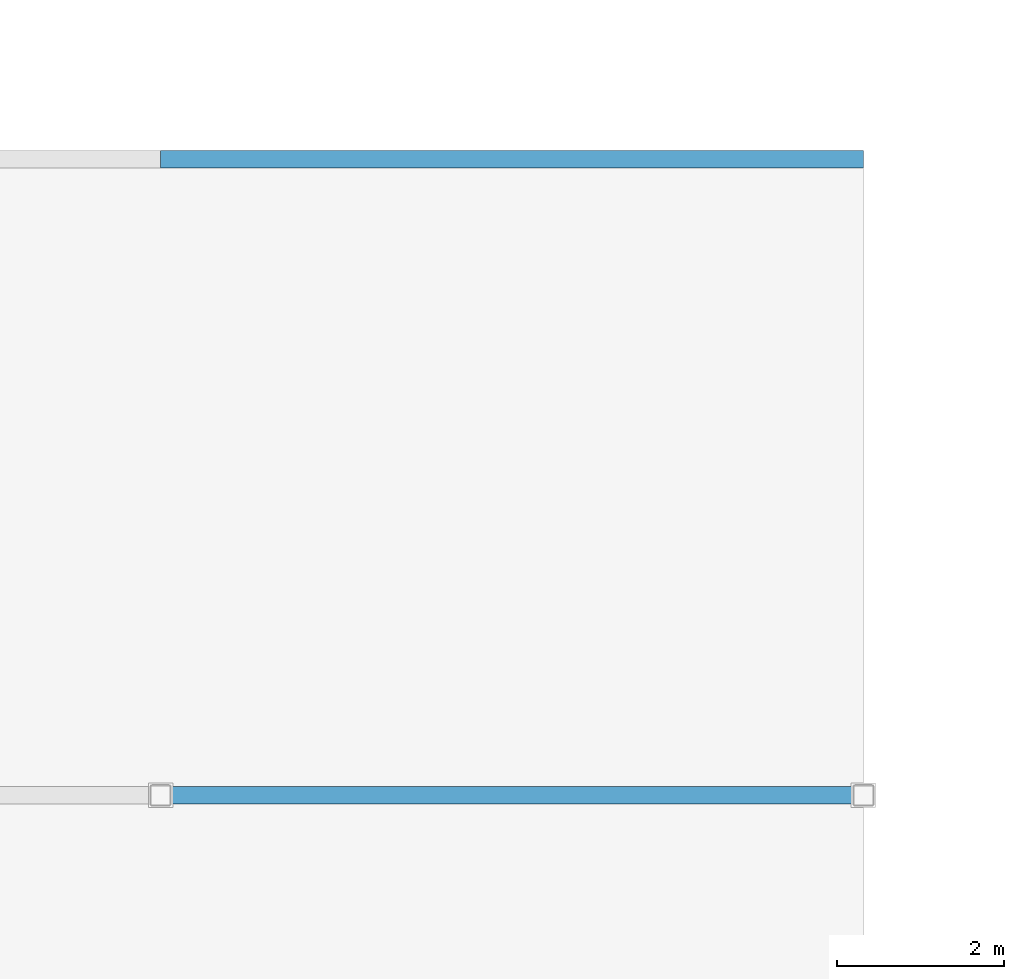
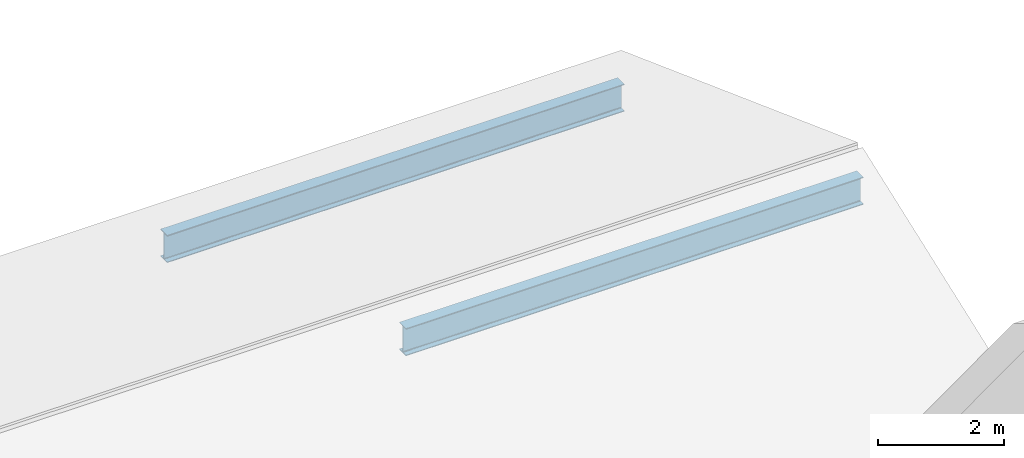
# One storey, part 31 of 153: 2 beams.
"""IFC4 building model written with IfcOpenShell, lengths in metres."""

from ifc_helpers import new_model, si_unit, direction, frame, origin, origin_2d, place, context, subcontext, project, spatial, i_section, extrude, material, material_profile, profile_set, type_object, element, save


model = new_model("IFC4")

# Units and contexts
model_context = context("Model", 3, precision=1e-05, world=origin(), true_north=direction((0.0, 1.0)))
body_context = subcontext(model_context, "Body", "Model", "MODEL_VIEW")
ifc_project = project(units=[si_unit("LENGTHUNIT", "METRE"), si_unit("AREAUNIT", "SQUARE_METRE"), si_unit("VOLUMEUNIT", "CUBIC_METRE"), si_unit("PLANEANGLEUNIT", "RADIAN"), si_unit("MASSUNIT", "GRAM", prefix="KILO")], contexts=[model_context])

# Site, building, storey
site_placement = place(None, origin())
site = spatial("IfcSite", under=ifc_project, at=site_placement, CompositionType="ELEMENT")
building_placement = place(site_placement, origin())
building = spatial("IfcBuilding", under=site, at=building_placement, Name="Calvrana Isthmian Art Gallery", CompositionType="ELEMENT")
storey_placement = place(building_placement, frame((0.0, 0.0, 10.199951171875)))
storey = spatial("IfcBuildingStorey", under=building, at=storey_placement, Name="L02", CompositionType="ELEMENT", Elevation=10.199951171875)

# Beams
ifc_material = material(Name="Steel ASTM A992 Gr 50", Category="steel")
ifc_material_profile = material_profile(ifc_material, i_section(OverallWidth=0.208984375, OverallDepth=0.532958984375, WebThickness=0.01025390625, FlangeThickness=0.015625, FilletRadius=0.02099609375, at=origin_2d()), Name="W21X62")
ifc_profile_set = profile_set([ifc_material_profile], Name="Steel ASTM A992 Gr 50")
beam_type = type_object("IfcBeamType", Name="BM-G-W21X62", PredefinedType="BEAM", material=ifc_profile_set)
for number, where, z_axis, x_axis, name in (
    (1, (30.0, 54.39990234375, 1.97998046875), (1.0, 0.0, 0.0), (0.0, 1.0, 0.0), "Sloped roof rafter SROOF_V3_S-8"),
    (2, (30.0, 62.0, -0.820068359375), (1.0, 0.0, 0.0), (0.0, 1.0, 0.0), "Sloped roof rafter SROOF_V3_N-13"),
):
    element("IfcBeam", number, at=place(storey_placement, frame(where, z_axis=z_axis, x_axis=x_axis)), inside=storey, type_object=beam_type, Name=name, PredefinedType="BEAM", context=body_context, shape_type="SweptSolid", body=[
        extrude(i_section(OverallWidth=0.208984375, OverallDepth=0.532958984375, WebThickness=0.01025390625, FlangeThickness=0.015625, FilletRadius=0.02099609375, at=origin_2d()), origin(), (0.0, 0.0, 1.0), 8.39990234375),
    ])

save(model, "model.ifc")
